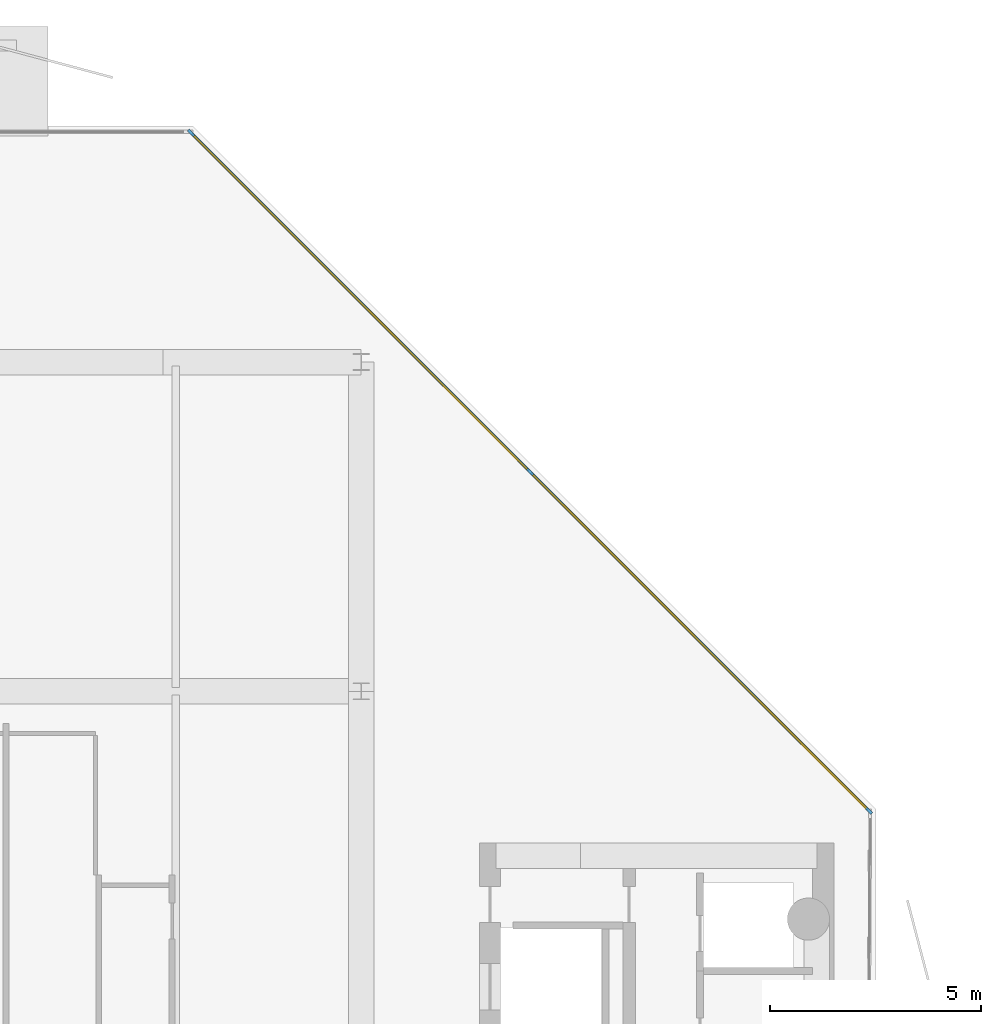
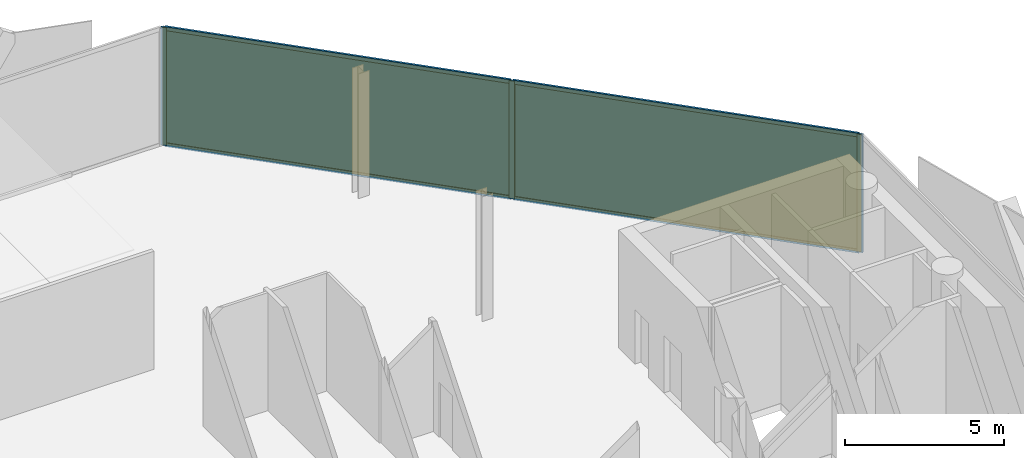
# One storey, part 11 of 15: 7 members, 2 plates, 1 curtain wall.
"""IFC4 building model written with IfcOpenShell, lengths in metres."""

from ifc_helpers import new_model, si_unit, direction, frame, frame_2d, origin, origin_2d, place, context, subcontext, project, spatial, rectangle, extrude, material, layer, layer_set, material_profile, profile_set, type_object, element, aggregate, save


model = new_model("IFC4")

# Units and contexts
model_context = context("Model", 3, precision=1e-05, world=origin(), true_north=direction((0.0, 1.0)))
body_context = subcontext(model_context, "Body", "Model", "MODEL_VIEW")
ifc_project = project(units=[si_unit("LENGTHUNIT", "METRE"), si_unit("AREAUNIT", "SQUARE_METRE"), si_unit("VOLUMEUNIT", "CUBIC_METRE"), si_unit("PLANEANGLEUNIT", "RADIAN"), si_unit("MASSUNIT", "GRAM", prefix="KILO")], contexts=[model_context])

# Member
ifc_material_1 = material(Name="Anodised Bronze Aluminium 6063-T6", Category="aluminium")
ifc_material_profile_1 = material_profile(ifc_material_1, rectangle(XDim=0.070068359375, YDim=0.18994140625, at=origin_2d()))
ifc_profile_set_1 = profile_set([ifc_material_profile_1], Name="Anodised Bronze Aluminium 6063-T6")
member_type_1 = type_object("IfcMemberType", Name="CW-SLC Mullion 70x190", PredefinedType="MULLION", material=ifc_profile_set_1)
site_placement = place(None, origin())
building_placement = place(site_placement, origin())
storey_placement = place(building_placement, frame((0.0, 0.0, 315.60009765625)))
member_1_placement = place(storey_placement, frame((5.166748046875, 24.03515625, 0.0), z_axis=(0.0, 0.0, 1.0), x_axis=(0.707106781187, 0.707106781187, 0.0)))
member_1 = element("IfcMember", 1, at=member_1_placement, type_object=member_type_1, Name="CW-SLC mullion 1", PredefinedType="MULLION", context=body_context, shape_type="SweptSolid", body=[
    extrude(rectangle(XDim=0.070068359375, YDim=0.18994140625, at=origin_2d()), origin(), (0.0, 0.0, 1.0), 4.539794921875),
])

member_2_placement = place(storey_placement, frame((13.200927734375, 16.0009765625, 0.0), z_axis=(0.0, 0.0, 1.0), x_axis=(0.707106781187, 0.707106781187, 0.0)))
member_2 = element("IfcMember", 2, at=member_2_placement, type_object=member_type_1, Name="CW-SLC mullion 2", PredefinedType="MULLION", context=body_context, shape_type="SweptSolid", body=[
    extrude(rectangle(XDim=0.070068359375, YDim=0.18994140625, at=origin_2d()), origin(), (0.0, 0.0, 1.0), 4.539794921875),
])

member_3_placement = place(storey_placement, frame((21.2353515625, 7.966796875, 0.0), z_axis=(0.0, 0.0, 1.0), x_axis=(0.707106781187, 0.707106781187, 0.0)))
member_3 = element("IfcMember", 3, at=member_3_placement, type_object=member_type_1, Name="CW-SLC mullion 3", PredefinedType="MULLION", context=body_context, shape_type="SweptSolid", body=[
    extrude(rectangle(XDim=0.070068359375, YDim=0.18994140625, at=origin_2d()), origin(), (0.0, 0.0, 1.0), 4.539794921875),
])

ifc_material_2 = material(Name="Anodised Bronze Aluminium 6063-T6", Category="aluminium")
ifc_material_profile_2 = material_profile(ifc_material_2, rectangle(XDim=0.070068359375, YDim=0.14990234375, at=origin_2d()))
ifc_profile_set_2 = profile_set([ifc_material_profile_2], Name="Anodised Bronze Aluminium 6063-T6")
member_type_2 = type_object("IfcMemberType", Name="CW-SLC Transom 70x150", PredefinedType="USERDEFINED", material=ifc_profile_set_2)
member_4_placement = place(storey_placement, frame((5.19140625, 24.010498046875, 0.034912109375), z_axis=(0.707106781187, -0.707106781187, 0.0), x_axis=(0.707106781187, 0.707106781187, 0.0)))
member_4 = element("IfcMember", 4, at=member_4_placement, type_object=member_type_2, Name="CW-SLC transom 1.1", ObjectType="TRANSOM", PredefinedType="USERDEFINED", context=body_context, shape_type="SweptSolid", body=[
    extrude(rectangle(XDim=0.070068359375, YDim=0.14990234375, at=origin_2d()), origin(), (0.0, 0.0, 1.0), 11.292236328125),
])

member_5_placement = place(storey_placement, frame((5.19140625, 24.010498046875, 4.5048828125), z_axis=(0.707106781187, -0.707106781187, 0.0), x_axis=(0.707106781187, 0.707106781187, 0.0)))
member_5 = element("IfcMember", 5, at=member_5_placement, type_object=member_type_2, Name="CW-SLC transom 1.2", ObjectType="TRANSOM", PredefinedType="USERDEFINED", context=body_context, shape_type="SweptSolid", body=[
    extrude(rectangle(XDim=0.070068359375, YDim=0.14990234375, at=origin_2d()), origin(), (0.0, 0.0, 1.0), 11.292236328125),
])

member_6_placement = place(storey_placement, frame((13.225830078125, 15.976318359375, 0.034912109375), z_axis=(0.707095970892, -0.707117591316, 0.0), x_axis=(0.707117591316, 0.707095970892, 0.0)))
member_6 = element("IfcMember", 6, at=member_6_placement, type_object=member_type_2, Name="CW-SLC transom 2.1", ObjectType="TRANSOM", PredefinedType="USERDEFINED", context=body_context, shape_type="SweptSolid", body=[
    extrude(rectangle(XDim=0.070068359375, YDim=0.14990234375, at=origin_2d()), origin(), (0.0, 0.0, 1.0), 11.292236328125),
])

member_7_placement = place(storey_placement, frame((13.225830078125, 15.976318359375, 4.5048828125), z_axis=(0.707095970892, -0.707117591316, 0.0), x_axis=(0.707117591316, 0.707095970892, 0.0)))
member_7 = element("IfcMember", 7, at=member_7_placement, type_object=member_type_2, Name="CW-SLC transom 2.2", ObjectType="TRANSOM", PredefinedType="USERDEFINED", context=body_context, shape_type="SweptSolid", body=[
    extrude(rectangle(XDim=0.070068359375, YDim=0.14990234375, at=origin_2d()), origin(), (0.0, 0.0, 1.0), 11.292236328125),
])

# Plate
ifc_material_3 = material(Name="Low-E Solar Control Laminated Glass", Category="glass")
ifc_layer_1 = layer(ifc_material_3, 0.033935546875, Name="Low-E Solar Control Laminated Glass")
ifc_layer_set_1 = layer_set([ifc_layer_1], Name="Low-E Solar Control Laminated Glass")
plate_type = type_object("IfcPlateType", Name="CW-SLC Low-E Double Glazed Panel 34mm", PredefinedType="CURTAIN_PANEL", material=ifc_layer_set_1)
plate_1_placement = place(storey_placement, frame((9.183837890625, 20.01806640625, 0.070068359375), z_axis=(0.0, 0.0, 1.0), x_axis=(0.707106781187, -0.707106781187, 0.0)))
plate_1 = element("IfcPlate", 8, at=plate_1_placement, type_object=plate_type, Name="CW-SLC panel 1.1", PredefinedType="CURTAIN_PANEL", context=body_context, shape_type="SweptSolid", body=[
    extrude(rectangle(XDim=11.292236328125, YDim=0.033935546875, at=origin_2d()), origin(), (0.0, 0.0, 1.0), 4.39990234375),
])

plate_2_placement = place(storey_placement, frame((17.218017578125, 11.98388671875, 0.070068359375), z_axis=(0.0, 0.0, 1.0), x_axis=(0.707106781187, -0.707106781187, 0.0)))
plate_2 = element("IfcPlate", 9, at=plate_2_placement, type_object=plate_type, Name="CW-SLC panel 2.1", PredefinedType="CURTAIN_PANEL", context=body_context, shape_type="SweptSolid", body=[
    extrude(rectangle(XDim=11.292236328125, YDim=0.033935546875, at=origin_2d()), origin(), (0.0, 0.0, 1.0), 4.39990234375),
])

# Site, building, storey
site = spatial("IfcSite", under=ifc_project, at=site_placement, CompositionType="ELEMENT")
building = spatial("IfcBuilding", under=site, at=building_placement, Name="Khairoan Windgate Tower", CompositionType="ELEMENT")
storey = spatial("IfcBuildingStorey", under=building, at=storey_placement, Name="L76", CompositionType="ELEMENT", Elevation=315.60009765625)

# Curtain wall
ifc_material_4 = material(Name="Anodised Bronze Aluminium 6063-T6", Category="aluminium")
ifc_layer_2 = layer(ifc_material_4, 0.18994140625, Name="Anodised Bronze Aluminium 6063-T6")
ifc_layer_set_2 = layer_set([ifc_layer_2], Name="Anodised Bronze Aluminium 6063-T6")
curtain_wall_type = type_object("IfcCurtainWallType", Name="Diagonal Corner-Slice Facet Curtain Wall CW-SLC", PredefinedType="NOTDEFINED", material=ifc_layer_set_2)
curtain_wall_placement = place(storey_placement, frame((5.14208984375, 24.06005859375, 0.0), z_axis=(0.0, 0.0, 1.0), x_axis=(0.707101425879, -0.707112136454, 0.0)))
curtain_wall = element("IfcCurtainWall", 10, at=curtain_wall_placement, inside=storey, type_object=curtain_wall_type, Name="L76 Crystal Slice Curtain Wall 8", PredefinedType="NOTDEFINED", context=body_context, shape_type="SweptSolid", body=[
    extrude(rectangle(XDim=22.79443359375, YDim=0.010009765625, at=frame_2d((11.397216796875, 0.0))), origin(), (0.0, 0.0, 1.0), 4.539794921875),
])

aggregate(curtain_wall, [member_1, member_2, member_3, member_4, member_5, plate_1, member_6, member_7, plate_2])

save(model, "model.ifc")
